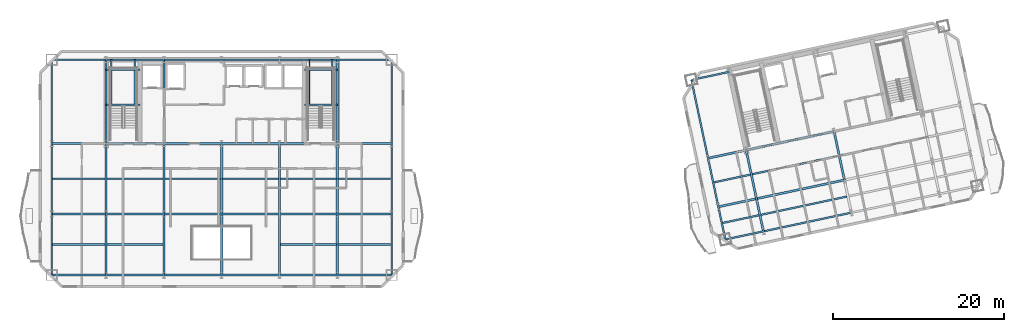
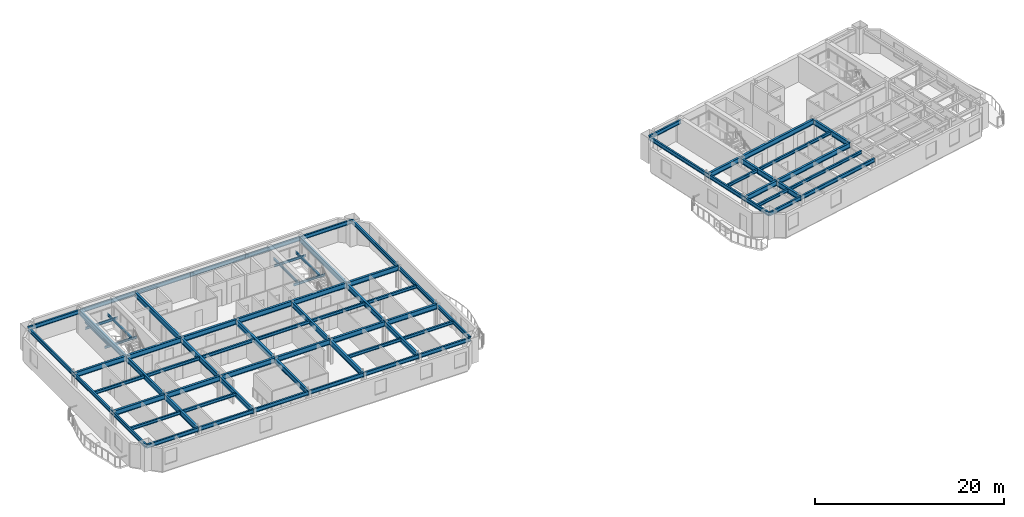
# One storey, part 3 of 13: 78 beams.
"""IFC4 building model written with IfcOpenShell, lengths in metres."""

from ifc_helpers import new_model, si_unit, direction, frame, origin, origin_2d, place, context, subcontext, project, spatial, i_section, extrude, material, material_profile, profile_set, type_object, element, save


model = new_model("IFC4")

# Units and contexts
model_context = context("Model", 3, precision=1e-05, world=origin(), true_north=direction((0.0, 1.0)))
body_context = subcontext(model_context, "Body", "Model", "MODEL_VIEW")
ifc_project = project(units=[si_unit("LENGTHUNIT", "METRE"), si_unit("AREAUNIT", "SQUARE_METRE"), si_unit("VOLUMEUNIT", "CUBIC_METRE"), si_unit("PLANEANGLEUNIT", "RADIAN"), si_unit("MASSUNIT", "GRAM", prefix="KILO")], contexts=[model_context])

# Site, building, storey
site_placement = place(None, origin())
site = spatial("IfcSite", under=ifc_project, at=site_placement, CompositionType="ELEMENT")
building_placement = place(site_placement, origin())
building = spatial("IfcBuilding", under=site, at=building_placement, Name="Haevon Station Towers", CompositionType="ELEMENT")
storey_placement = place(building_placement, frame((0.0, 0.0, 142.800048828125)))
storey = spatial("IfcBuildingStorey", under=building, at=storey_placement, Name="L38", CompositionType="ELEMENT", Elevation=142.800048828125)

# Beams
ifc_material = material(Name="Steel S355", Category="steel")
ifc_material_profile_1 = material_profile(ifc_material, i_section(OverallWidth=0.25, OverallDepth=0.64990234375, WebThickness=0.012939453125, FlangeThickness=0.02197265625, at=origin_2d()), Name="H-650x250x13x22")
ifc_profile_set_1 = profile_set([ifc_material_profile_1], Name="Steel S355")
beam_type_1 = type_object("IfcBeamType", Name="BM-G650", PredefinedType="BEAM", material=ifc_profile_set_1)
beam_1_placement = place(storey_placement, frame((17.64990234375, 30.0, 2.724853515625), z_axis=(1.0, 0.0, 0.0), x_axis=(0.0, 1.0, 0.0)))
element("IfcBeam", 1, at=beam_1_placement, inside=storey, type_object=beam_type_1, Name="BM-T1U-L38-02-01", PredefinedType="BEAM", context=body_context, shape_type="SweptSolid", body=[
    extrude(i_section(OverallWidth=0.25, OverallDepth=0.64990234375, WebThickness=0.012939453125, FlangeThickness=0.02197265625, at=origin_2d()), origin(), (0.0, 0.0, 1.0), 6.35009765625),
])
for number, where, z_axis, x_axis, name in (
    (2, (24.0, 30.0, 2.724853515625), (1.0, 0.0, 0.0), (0.0, 1.0, 0.0), "BM-T1U-L38-02-02"),
    (3, (30.75, 30.0, 2.724853515625), (1.0, 0.0, 0.0), (0.0, 1.0, 0.0), "BM-T1U-L38-02-03"),
    (4, (37.5, 30.0, 2.724853515625), (1.0, 0.0, 0.0), (0.0, 1.0, 0.0), "BM-T1U-L38-02-04"),
    (5, (44.25, 30.0, 2.724853515625), (1.0, 0.0, 0.0), (0.0, 1.0, 0.0), "BM-T1U-L38-02-05"),
):
    element("IfcBeam", number, at=place(storey_placement, frame(where, z_axis=z_axis, x_axis=x_axis)), inside=storey, type_object=beam_type_1, Name=name, PredefinedType="BEAM", context=body_context, shape_type="SweptSolid", body=[
        extrude(i_section(OverallWidth=0.25, OverallDepth=0.64990234375, WebThickness=0.012939453125, FlangeThickness=0.02197265625, at=origin_2d()), origin(), (0.0, 0.0, 1.0), 6.75),
    ])
for number, where, z_axis, x_axis, name in (
    (6, (51.0, 30.0, 2.724853515625), (1.0, 0.0, 0.0), (0.0, 1.0, 0.0), "BM-T1U-L38-02-06"),
    (7, (17.64990234375, 38.199951171875, 2.724853515625), (1.0, 0.0, 0.0), (0.0, 1.0, 0.0), "BM-T1U-L38-03-01"),
):
    element("IfcBeam", number, at=place(storey_placement, frame(where, z_axis=z_axis, x_axis=x_axis)), inside=storey, type_object=beam_type_1, Name=name, PredefinedType="BEAM", context=body_context, shape_type="SweptSolid", body=[
        extrude(i_section(OverallWidth=0.25, OverallDepth=0.64990234375, WebThickness=0.012939453125, FlangeThickness=0.02197265625, at=origin_2d()), origin(), (0.0, 0.0, 1.0), 6.35009765625),
    ])
for number, where, z_axis, x_axis, name in (
    (8, (24.0, 38.199951171875, 2.724853515625), (1.0, 0.0, 0.0), (0.0, 1.0, 0.0), "BM-T1U-L38-03-02"),
    (9, (30.75, 38.199951171875, 2.724853515625), (1.0, 0.0, 0.0), (0.0, 1.0, 0.0), "BM-T1U-L38-03-03"),
    (10, (37.5, 38.199951171875, 2.724853515625), (1.0, 0.0, 0.0), (0.0, 1.0, 0.0), "BM-T1U-L38-03-04"),
    (11, (44.25, 38.199951171875, 2.724853515625), (1.0, 0.0, 0.0), (0.0, 1.0, 0.0), "BM-T1U-L38-03-05"),
):
    element("IfcBeam", number, at=place(storey_placement, frame(where, z_axis=z_axis, x_axis=x_axis)), inside=storey, type_object=beam_type_1, Name=name, PredefinedType="BEAM", context=body_context, shape_type="SweptSolid", body=[
        extrude(i_section(OverallWidth=0.25, OverallDepth=0.64990234375, WebThickness=0.012939453125, FlangeThickness=0.02197265625, at=origin_2d()), origin(), (0.0, 0.0, 1.0), 6.75),
    ])
beam_2_placement = place(storey_placement, frame((51.0, 38.199951171875, 2.724853515625), z_axis=(1.0, 0.0, 0.0), x_axis=(0.0, 1.0, 0.0)))
element("IfcBeam", 12, at=beam_2_placement, inside=storey, type_object=beam_type_1, Name="BM-T1U-L38-03-06", PredefinedType="BEAM", context=body_context, shape_type="SweptSolid", body=[
    extrude(i_section(OverallWidth=0.25, OverallDepth=0.64990234375, WebThickness=0.012939453125, FlangeThickness=0.02197265625, at=origin_2d()), origin(), (0.0, 0.0, 1.0), 6.35009765625),
])
beam_3_placement = place(storey_placement, frame((24.0, 22.85009765625, 2.724853515625), z_axis=(0.0, 1.0, 0.0), x_axis=(-1.0, 0.0, 0.0)))
element("IfcBeam", 13, at=beam_3_placement, inside=storey, type_object=beam_type_1, Name="BM-T1V-L38-02-01", PredefinedType="BEAM", context=body_context, shape_type="SweptSolid", body=[
    extrude(i_section(OverallWidth=0.25, OverallDepth=0.64990234375, WebThickness=0.012939453125, FlangeThickness=0.02197265625, at=origin_2d()), origin(), (0.0, 0.0, 1.0), 7.14990234375),
])
beam_4_placement = place(storey_placement, frame((24.0, 30.0, 2.724853515625), z_axis=(0.0, 1.0, 0.0), x_axis=(-1.0, 0.0, 0.0)))
element("IfcBeam", 14, at=beam_4_placement, inside=storey, type_object=beam_type_1, Name="BM-T1V-L38-02-02", PredefinedType="BEAM", context=body_context, shape_type="SweptSolid", body=[
    extrude(i_section(OverallWidth=0.25, OverallDepth=0.64990234375, WebThickness=0.012939453125, FlangeThickness=0.02197265625, at=origin_2d()), origin(), (0.0, 0.0, 1.0), 8.199951171875),
])
beam_5_placement = place(storey_placement, frame((24.0, 38.199951171875, 2.724853515625), z_axis=(0.0, 1.0, 0.0), x_axis=(-1.0, 0.0, 0.0)))
element("IfcBeam", 15, at=beam_5_placement, inside=storey, type_object=beam_type_1, Name="BM-T1V-L38-02-03", PredefinedType="BEAM", context=body_context, shape_type="SweptSolid", body=[
    extrude(i_section(OverallWidth=0.25, OverallDepth=0.64990234375, WebThickness=0.012939453125, FlangeThickness=0.02197265625, at=origin_2d()), origin(), (0.0, 0.0, 1.0), 9.800048828125),
])
beam_6_placement = place(storey_placement, frame((30.75, 22.85009765625, 2.724853515625), z_axis=(0.0, 1.0, 0.0), x_axis=(-1.0, 0.0, 0.0)))
element("IfcBeam", 16, at=beam_6_placement, inside=storey, type_object=beam_type_1, Name="BM-T1V-L38-03-01", PredefinedType="BEAM", context=body_context, shape_type="SweptSolid", body=[
    extrude(i_section(OverallWidth=0.25, OverallDepth=0.64990234375, WebThickness=0.012939453125, FlangeThickness=0.02197265625, at=origin_2d()), origin(), (0.0, 0.0, 1.0), 7.14990234375),
])
beam_7_placement = place(storey_placement, frame((30.75, 30.0, 2.724853515625), z_axis=(0.0, 1.0, 0.0), x_axis=(-1.0, 0.0, 0.0)))
element("IfcBeam", 17, at=beam_7_placement, inside=storey, type_object=beam_type_1, Name="BM-T1V-L38-03-02", PredefinedType="BEAM", context=body_context, shape_type="SweptSolid", body=[
    extrude(i_section(OverallWidth=0.25, OverallDepth=0.64990234375, WebThickness=0.012939453125, FlangeThickness=0.02197265625, at=origin_2d()), origin(), (0.0, 0.0, 1.0), 8.199951171875),
])
beam_8_placement = place(storey_placement, frame((30.75, 38.199951171875, 2.724853515625), z_axis=(0.0, 1.0, 0.0), x_axis=(-1.0, 0.0, 0.0)))
element("IfcBeam", 18, at=beam_8_placement, inside=storey, type_object=beam_type_1, Name="BM-T1V-L38-03-03", PredefinedType="BEAM", context=body_context, shape_type="SweptSolid", body=[
    extrude(i_section(OverallWidth=0.25, OverallDepth=0.64990234375, WebThickness=0.012939453125, FlangeThickness=0.02197265625, at=origin_2d()), origin(), (0.0, 0.0, 1.0), 9.800048828125),
])
beam_9_placement = place(storey_placement, frame((37.5, 22.85009765625, 2.724853515625), z_axis=(0.0, 1.0, 0.0), x_axis=(-1.0, 0.0, 0.0)))
element("IfcBeam", 19, at=beam_9_placement, inside=storey, type_object=beam_type_1, Name="BM-T1V-L38-04-01", PredefinedType="BEAM", context=body_context, shape_type="SweptSolid", body=[
    extrude(i_section(OverallWidth=0.25, OverallDepth=0.64990234375, WebThickness=0.012939453125, FlangeThickness=0.02197265625, at=origin_2d()), origin(), (0.0, 0.0, 1.0), 7.14990234375),
])
beam_10_placement = place(storey_placement, frame((37.5, 30.0, 2.724853515625), z_axis=(0.0, 1.0, 0.0), x_axis=(-1.0, 0.0, 0.0)))
element("IfcBeam", 20, at=beam_10_placement, inside=storey, type_object=beam_type_1, Name="BM-T1V-L38-04-02", PredefinedType="BEAM", context=body_context, shape_type="SweptSolid", body=[
    extrude(i_section(OverallWidth=0.25, OverallDepth=0.64990234375, WebThickness=0.012939453125, FlangeThickness=0.02197265625, at=origin_2d()), origin(), (0.0, 0.0, 1.0), 8.199951171875),
])
beam_11_placement = place(storey_placement, frame((44.25, 22.85009765625, 2.724853515625), z_axis=(0.0, 1.0, 0.0), x_axis=(-1.0, 0.0, 0.0)))
element("IfcBeam", 21, at=beam_11_placement, inside=storey, type_object=beam_type_1, Name="BM-T1V-L38-05-01", PredefinedType="BEAM", context=body_context, shape_type="SweptSolid", body=[
    extrude(i_section(OverallWidth=0.25, OverallDepth=0.64990234375, WebThickness=0.012939453125, FlangeThickness=0.02197265625, at=origin_2d()), origin(), (0.0, 0.0, 1.0), 7.14990234375),
])
beam_12_placement = place(storey_placement, frame((44.25, 30.0, 2.724853515625), z_axis=(0.0, 1.0, 0.0), x_axis=(-1.0, 0.0, 0.0)))
element("IfcBeam", 22, at=beam_12_placement, inside=storey, type_object=beam_type_1, Name="BM-T1V-L38-05-02", PredefinedType="BEAM", context=body_context, shape_type="SweptSolid", body=[
    extrude(i_section(OverallWidth=0.25, OverallDepth=0.64990234375, WebThickness=0.012939453125, FlangeThickness=0.02197265625, at=origin_2d()), origin(), (0.0, 0.0, 1.0), 8.199951171875),
])
beam_13_placement = place(storey_placement, frame((51.0, 22.85009765625, 2.724853515625), z_axis=(0.0, 1.0, 0.0), x_axis=(-1.0, 0.0, 0.0)))
element("IfcBeam", 23, at=beam_13_placement, inside=storey, type_object=beam_type_1, Name="BM-T1V-L38-06-01", PredefinedType="BEAM", context=body_context, shape_type="SweptSolid", body=[
    extrude(i_section(OverallWidth=0.25, OverallDepth=0.64990234375, WebThickness=0.012939453125, FlangeThickness=0.02197265625, at=origin_2d()), origin(), (0.0, 0.0, 1.0), 7.14990234375),
])
beam_14_placement = place(storey_placement, frame((51.0, 30.0, 2.724853515625), z_axis=(0.0, 1.0, 0.0), x_axis=(-1.0, 0.0, 0.0)))
element("IfcBeam", 24, at=beam_14_placement, inside=storey, type_object=beam_type_1, Name="BM-T1V-L38-06-02", PredefinedType="BEAM", context=body_context, shape_type="SweptSolid", body=[
    extrude(i_section(OverallWidth=0.25, OverallDepth=0.64990234375, WebThickness=0.012939453125, FlangeThickness=0.02197265625, at=origin_2d()), origin(), (0.0, 0.0, 1.0), 8.199951171875),
])
beam_15_placement = place(storey_placement, frame((51.0, 38.199951171875, 2.724853515625), z_axis=(0.0, 1.0, 0.0), x_axis=(-1.0, 0.0, 0.0)))
element("IfcBeam", 25, at=beam_15_placement, inside=storey, type_object=beam_type_1, Name="BM-T1V-L38-06-03", PredefinedType="BEAM", context=body_context, shape_type="SweptSolid", body=[
    extrude(i_section(OverallWidth=0.25, OverallDepth=0.64990234375, WebThickness=0.012939453125, FlangeThickness=0.02197265625, at=origin_2d()), origin(), (0.0, 0.0, 1.0), 9.800048828125),
])
beam_16_placement = place(storey_placement, frame((95.507568359375, 30.8232421875, 2.724853515625), z_axis=(0.978157487225, 0.207865173094, 0.0), x_axis=(-0.207865173094, 0.978157487225, 0.0)))
element("IfcBeam", 26, at=beam_16_placement, inside=storey, type_object=beam_type_1, Name="BM-T2U-L38-02-01", PredefinedType="BEAM", context=body_context, shape_type="SweptSolid", body=[
    extrude(i_section(OverallWidth=0.25, OverallDepth=0.64990234375, WebThickness=0.012939453125, FlangeThickness=0.02197265625, at=origin_2d()), origin(), (0.0, 0.0, 1.0), 4.550048828125),
])
beam_17_placement = place(storey_placement, frame((99.958251953125, 31.76904296875, 2.724853515625), z_axis=(0.978146794194, 0.207915485254, 0.0), x_axis=(-0.207915485254, 0.978146794194, 0.0)))
element("IfcBeam", 27, at=beam_17_placement, inside=storey, type_object=beam_type_1, Name="BM-T2U-L38-02-02", PredefinedType="BEAM", context=body_context, shape_type="SweptSolid", body=[
    extrude(i_section(OverallWidth=0.25, OverallDepth=0.64990234375, WebThickness=0.012939453125, FlangeThickness=0.02197265625, at=origin_2d()), origin(), (0.0, 0.0, 1.0), 10.5),
])
beam_18_placement = place(storey_placement, frame((94.3017578125, 36.496337890625, 2.724853515625), z_axis=(0.978146576304, 0.207916510322, 0.0), x_axis=(-0.207916510322, 0.978146576304, 0.0)))
element("IfcBeam", 28, at=beam_18_placement, inside=storey, type_object=beam_type_1, Name="BM-T2U-L38-03-01", PredefinedType="BEAM", context=body_context, shape_type="SweptSolid", body=[
    extrude(i_section(OverallWidth=0.25, OverallDepth=0.64990234375, WebThickness=0.012939453125, FlangeThickness=0.02197265625, at=origin_2d()), origin(), (0.0, 0.0, 1.0), 4.550048828125),
])
beam_19_placement = place(storey_placement, frame((98.75244140625, 37.4423828125, 2.724853515625), z_axis=(0.978146794194, 0.207915485254, 0.0), x_axis=(-0.207915485254, 0.978146794194, 0.0)))
element("IfcBeam", 29, at=beam_19_placement, inside=storey, type_object=beam_type_1, Name="BM-T2U-L38-03-02", PredefinedType="BEAM", context=body_context, shape_type="SweptSolid", body=[
    extrude(i_section(OverallWidth=0.25, OverallDepth=0.64990234375, WebThickness=0.012939453125, FlangeThickness=0.02197265625, at=origin_2d()), origin(), (0.0, 0.0, 1.0), 10.5),
])
beam_20_placement = place(storey_placement, frame((100.76904296875, 27.954345703125, 2.724853515625), z_axis=(-0.207899934746, 0.97815009949, 0.0), x_axis=(-0.97815009949, -0.207899934746, 0.0)))
element("IfcBeam", 30, at=beam_20_placement, inside=storey, type_object=beam_type_1, Name="BM-T2V-L38-02-01", PredefinedType="BEAM", context=body_context, shape_type="SweptSolid", body=[
    extrude(i_section(OverallWidth=0.25, OverallDepth=0.64990234375, WebThickness=0.012939453125, FlangeThickness=0.02197265625, at=origin_2d()), origin(), (0.0, 0.0, 1.0), 3.89990234375),
])
for number, where, z_axis, x_axis, name in (
    (31, (99.958251953125, 31.76904296875, 2.724853515625), (-0.207896009217, 0.97815093383, 0.0), (-0.97815093383, -0.207896009217, 0.0), "BM-T2V-L38-02-02"),
    (32, (110.228759765625, 33.9521484375, 2.724853515625), (-0.207896009217, 0.97815093383, 0.0), (-0.97815093383, -0.207896009217, 0.0), "BM-T2V-L38-03-02"),
):
    element("IfcBeam", number, at=place(storey_placement, frame(where, z_axis=z_axis, x_axis=x_axis)), inside=storey, type_object=beam_type_1, Name=name, PredefinedType="BEAM", context=body_context, shape_type="SweptSolid", body=[
        extrude(i_section(OverallWidth=0.25, OverallDepth=0.64990234375, WebThickness=0.012939453125, FlangeThickness=0.02197265625, at=origin_2d()), origin(), (0.0, 0.0, 1.0), 5.800048828125),
    ])
ifc_material_profile_2 = material_profile(ifc_material, i_section(OverallWidth=0.199951171875, OverallDepth=0.39990234375, WebThickness=0.008056640625, FlangeThickness=0.012939453125, at=origin_2d()), Name="H-400x200x8x13")
ifc_profile_set_2 = profile_set([ifc_material_profile_2], Name="Steel S355")
beam_type_2 = type_object("IfcBeamType", Name="BM-J400", PredefinedType="JOIST", material=ifc_profile_set_2)
beam_21_placement = place(storey_placement, frame((17.760009765625, 26.425048828125, 2.849853515625), z_axis=(1.0, 0.0, 0.0), x_axis=(0.0, 1.0, 0.0)))
element("IfcBeam", 33, at=beam_21_placement, inside=storey, type_object=beam_type_2, Name="BM-T1J-L38-01-01", PredefinedType="JOIST", context=body_context, shape_type="SweptSolid", body=[
    extrude(i_section(OverallWidth=0.199951171875, OverallDepth=0.39990234375, WebThickness=0.008056640625, FlangeThickness=0.012939453125, at=origin_2d()), origin(), (0.0, 0.0, 1.0), 6.1298828125),
])
for number, where, z_axis, x_axis, name in (
    (34, (24.110107421875, 26.425048828125, 2.849853515625), (1.0, 0.0, 0.0), (0.0, 1.0, 0.0), "BM-T1J-L38-01-02"),
    (35, (44.360107421875, 26.425048828125, 2.849853515625), (1.0, 0.0, 0.0), (0.0, 1.0, 0.0), "BM-T1J-L38-01-05"),
):
    element("IfcBeam", number, at=place(storey_placement, frame(where, z_axis=z_axis, x_axis=x_axis)), inside=storey, type_object=beam_type_2, Name=name, PredefinedType="JOIST", context=body_context, shape_type="SweptSolid", body=[
        extrude(i_section(OverallWidth=0.199951171875, OverallDepth=0.39990234375, WebThickness=0.008056640625, FlangeThickness=0.012939453125, at=origin_2d()), origin(), (0.0, 0.0, 1.0), 6.52978515625),
    ])
for number, where, z_axis, x_axis, name in (
    (36, (51.110107421875, 26.425048828125, 2.849853515625), (1.0, 0.0, 0.0), (0.0, 1.0, 0.0), "BM-T1J-L38-01-06"),
    (37, (17.760009765625, 34.10009765625, 2.849853515625), (1.0, 0.0, 0.0), (0.0, 1.0, 0.0), "BM-T1J-L38-02-01"),
):
    element("IfcBeam", number, at=place(storey_placement, frame(where, z_axis=z_axis, x_axis=x_axis)), inside=storey, type_object=beam_type_2, Name=name, PredefinedType="JOIST", context=body_context, shape_type="SweptSolid", body=[
        extrude(i_section(OverallWidth=0.199951171875, OverallDepth=0.39990234375, WebThickness=0.008056640625, FlangeThickness=0.012939453125, at=origin_2d()), origin(), (0.0, 0.0, 1.0), 6.1298828125),
    ])
for number, where, z_axis, x_axis, name in (
    (38, (24.110107421875, 34.10009765625, 2.849853515625), (1.0, 0.0, 0.0), (0.0, 1.0, 0.0), "BM-T1J-L38-02-02"),
    (39, (30.860107421875, 34.10009765625, 2.849853515625), (1.0, 0.0, 0.0), (0.0, 1.0, 0.0), "BM-T1J-L38-02-03"),
    (40, (37.610107421875, 34.10009765625, 2.849853515625), (1.0, 0.0, 0.0), (0.0, 1.0, 0.0), "BM-T1J-L38-02-04"),
    (41, (44.360107421875, 34.10009765625, 2.849853515625), (1.0, 0.0, 0.0), (0.0, 1.0, 0.0), "BM-T1J-L38-02-05"),
):
    element("IfcBeam", number, at=place(storey_placement, frame(where, z_axis=z_axis, x_axis=x_axis)), inside=storey, type_object=beam_type_2, Name=name, PredefinedType="JOIST", context=body_context, shape_type="SweptSolid", body=[
        extrude(i_section(OverallWidth=0.199951171875, OverallDepth=0.39990234375, WebThickness=0.008056640625, FlangeThickness=0.012939453125, at=origin_2d()), origin(), (0.0, 0.0, 1.0), 6.52978515625),
    ])
beam_22_placement = place(storey_placement, frame((51.110107421875, 34.10009765625, 2.849853515625), z_axis=(1.0, 0.0, 0.0), x_axis=(0.0, 1.0, 0.0)))
element("IfcBeam", 42, at=beam_22_placement, inside=storey, type_object=beam_type_2, Name="BM-T1J-L38-02-06", PredefinedType="JOIST", context=body_context, shape_type="SweptSolid", body=[
    extrude(i_section(OverallWidth=0.199951171875, OverallDepth=0.39990234375, WebThickness=0.008056640625, FlangeThickness=0.012939453125, at=origin_2d()), origin(), (0.0, 0.0, 1.0), 6.1298828125),
])
beam_23_placement = place(storey_placement, frame((96.020751953125, 28.938720703125, 2.849853515625), z_axis=(0.978152545287, 0.207888427166, 0.0), x_axis=(-0.207888427166, 0.978152545287, 0.0)))
element("IfcBeam", 43, at=beam_23_placement, inside=storey, type_object=beam_type_2, Name="BM-T2J-L38-01-01", PredefinedType="JOIST", context=body_context, shape_type="SweptSolid", body=[
    extrude(i_section(OverallWidth=0.199951171875, OverallDepth=0.39990234375, WebThickness=0.008056640625, FlangeThickness=0.012939453125, at=origin_2d()), origin(), (0.0, 0.0, 1.0), 4.329833984375),
])
beam_24_placement = place(storey_placement, frame((100.47119140625, 29.884521484375, 2.849853515625), z_axis=(0.978145509903, 0.207921527161, 0.0), x_axis=(-0.207921527161, 0.978145509903, 0.0)))
element("IfcBeam", 44, at=beam_24_placement, inside=storey, type_object=beam_type_2, Name="BM-T2J-L38-01-02", PredefinedType="JOIST", context=body_context, shape_type="SweptSolid", body=[
    extrude(i_section(OverallWidth=0.199951171875, OverallDepth=0.39990234375, WebThickness=0.008056640625, FlangeThickness=0.012939453125, at=origin_2d()), origin(), (0.0, 0.0, 1.0), 10.280029296875),
])
beam_25_placement = place(storey_placement, frame((95.01220703125, 33.6826171875, 2.849853515625), z_axis=(0.978143516228, 0.20793090598, 0.0), x_axis=(-0.20793090598, 0.978143516228, 0.0)))
element("IfcBeam", 45, at=beam_25_placement, inside=storey, type_object=beam_type_2, Name="BM-T2J-L38-02-01", PredefinedType="JOIST", context=body_context, shape_type="SweptSolid", body=[
    extrude(i_section(OverallWidth=0.199951171875, OverallDepth=0.39990234375, WebThickness=0.008056640625, FlangeThickness=0.012939453125, at=origin_2d()), origin(), (0.0, 0.0, 1.0), 4.330322265625),
])
beam_26_placement = place(storey_placement, frame((99.462890625, 34.628662109375, 2.849853515625), z_axis=(0.978150339653, 0.207898804801, 0.0), x_axis=(-0.207898804801, 0.978150339653, 0.0)))
element("IfcBeam", 46, at=beam_26_placement, inside=storey, type_object=beam_type_2, Name="BM-T2J-L38-02-02", PredefinedType="JOIST", context=body_context, shape_type="SweptSolid", body=[
    extrude(i_section(OverallWidth=0.199951171875, OverallDepth=0.39990234375, WebThickness=0.008056640625, FlangeThickness=0.012939453125, at=origin_2d()), origin(), (0.0, 0.0, 1.0), 10.280029296875),
])
ifc_material_profile_3 = material_profile(ifc_material, i_section(OverallWidth=0.14990234375, OverallDepth=0.300048828125, WebThickness=0.006591796875, FlangeThickness=0.009033203125, at=origin_2d()), Name="H-300x150x6.5x9")
ifc_profile_set_3 = profile_set([ifc_material_profile_3], Name="Steel S355")
beam_type_3 = type_object("IfcBeamType", Name="BM-LIN300", PredefinedType="LINTEL", material=ifc_profile_set_3)
for number, where, z_axis, x_axis, name in (
    (47, (24.0, 42.743896484375, 1.300048828125), (1.0, 0.0, 0.0), (0.0, 1.0, 0.0), "BM-ST1L-L38-1-S"),
    (48, (24.0, 46.820068359375, 1.300048828125), (1.0, 0.0, 0.0), (0.0, 1.0, 0.0), "BM-ST1L-L38-1-N"),
):
    element("IfcBeam", number, at=place(storey_placement, frame(where, z_axis=z_axis, x_axis=x_axis)), inside=storey, type_object=beam_type_3, Name=name, PredefinedType="LINTEL", context=body_context, shape_type="SweptSolid", body=[
        extrude(i_section(OverallWidth=0.14990234375, OverallDepth=0.300048828125, WebThickness=0.006591796875, FlangeThickness=0.009033203125, at=origin_2d()), origin(), (0.0, 0.0, 1.0), 3.949951171875),
    ])
for number, where, z_axis, x_axis, name in (
    (49, (24.60009765625, 42.743896484375, 1.300048828125), (0.0, 1.0, 0.0), (-1.0, 0.0, 0.0), "BM-ST1L-L38-1-W"),
    (50, (27.35009765625, 42.743896484375, 1.300048828125), (0.0, 1.0, 0.0), (-1.0, 0.0, 0.0), "BM-ST1L-L38-1-E"),
):
    element("IfcBeam", number, at=place(storey_placement, frame(where, z_axis=z_axis, x_axis=x_axis)), inside=storey, type_object=beam_type_3, Name=name, PredefinedType="LINTEL", context=body_context, shape_type="SweptSolid", body=[
        extrude(i_section(OverallWidth=0.14990234375, OverallDepth=0.300048828125, WebThickness=0.006591796875, FlangeThickness=0.009033203125, at=origin_2d()), origin(), (0.0, 0.0, 1.0), 5.256103515625),
    ])
for number, where, z_axis, x_axis, name in (
    (51, (47.14990234375, 42.743896484375, 1.300048828125), (1.0, 0.0, 0.0), (0.0, 1.0, 0.0), "BM-ST2L-L38-1-S"),
    (52, (47.14990234375, 46.820068359375, 1.300048828125), (1.0, 0.0, 0.0), (0.0, 1.0, 0.0), "BM-ST2L-L38-1-N"),
):
    element("IfcBeam", number, at=place(storey_placement, frame(where, z_axis=z_axis, x_axis=x_axis)), inside=storey, type_object=beam_type_3, Name=name, PredefinedType="LINTEL", context=body_context, shape_type="SweptSolid", body=[
        extrude(i_section(OverallWidth=0.14990234375, OverallDepth=0.300048828125, WebThickness=0.006591796875, FlangeThickness=0.009033203125, at=origin_2d()), origin(), (0.0, 0.0, 1.0), 3.85009765625),
    ])
for number, where, z_axis, x_axis, name in (
    (53, (47.75, 42.743896484375, 1.300048828125), (0.0, 1.0, 0.0), (-1.0, 0.0, 0.0), "BM-ST2L-L38-1-W"),
    (54, (50.39990234375, 42.743896484375, 1.300048828125), (0.0, 1.0, 0.0), (-1.0, 0.0, 0.0), "BM-ST2L-L38-1-E"),
):
    element("IfcBeam", number, at=place(storey_placement, frame(where, z_axis=z_axis, x_axis=x_axis)), inside=storey, type_object=beam_type_3, Name=name, PredefinedType="LINTEL", context=body_context, shape_type="SweptSolid", body=[
        extrude(i_section(OverallWidth=0.14990234375, OverallDepth=0.300048828125, WebThickness=0.006591796875, FlangeThickness=0.009033203125, at=origin_2d()), origin(), (0.0, 0.0, 1.0), 5.256103515625),
    ])
ifc_material_profile_4 = material_profile(ifc_material, i_section(OverallWidth=0.199951171875, OverallDepth=0.5, WebThickness=0.010009765625, FlangeThickness=0.01611328125, at=origin_2d()), Name="H-500x200x10x16")
ifc_profile_set_4 = profile_set([ifc_material_profile_4], Name="Steel S355")
beam_type_4 = type_object("IfcBeamType", Name="BM-SP500", PredefinedType="SPANDREL", material=ifc_profile_set_4)
beam_27_placement = place(storey_placement, frame((17.64990234375, 22.85009765625, 2.800048828125), z_axis=(1.0, 0.0, 0.0), x_axis=(0.0, 1.0, 0.0)))
element("IfcBeam", 55, at=beam_27_placement, inside=storey, type_object=beam_type_4, Name="BM-T1U-L38-01-01", PredefinedType="SPANDREL", context=body_context, shape_type="SweptSolid", body=[
    extrude(i_section(OverallWidth=0.199951171875, OverallDepth=0.5, WebThickness=0.010009765625, FlangeThickness=0.01611328125, at=origin_2d()), origin(), (0.0, 0.0, 1.0), 6.35009765625),
])
for number, where, z_axis, x_axis, name in (
    (56, (24.0, 22.85009765625, 2.800048828125), (1.0, 0.0, 0.0), (0.0, 1.0, 0.0), "BM-T1U-L38-01-02"),
    (57, (30.75, 22.85009765625, 2.800048828125), (1.0, 0.0, 0.0), (0.0, 1.0, 0.0), "BM-T1U-L38-01-03"),
    (58, (37.5, 22.85009765625, 2.800048828125), (1.0, 0.0, 0.0), (0.0, 1.0, 0.0), "BM-T1U-L38-01-04"),
    (59, (44.25, 22.85009765625, 2.800048828125), (1.0, 0.0, 0.0), (0.0, 1.0, 0.0), "BM-T1U-L38-01-05"),
):
    element("IfcBeam", number, at=place(storey_placement, frame(where, z_axis=z_axis, x_axis=x_axis)), inside=storey, type_object=beam_type_4, Name=name, PredefinedType="SPANDREL", context=body_context, shape_type="SweptSolid", body=[
        extrude(i_section(OverallWidth=0.199951171875, OverallDepth=0.5, WebThickness=0.010009765625, FlangeThickness=0.01611328125, at=origin_2d()), origin(), (0.0, 0.0, 1.0), 6.75),
    ])
for number, where, z_axis, x_axis, name in (
    (60, (51.0, 22.85009765625, 2.800048828125), (1.0, 0.0, 0.0), (0.0, 1.0, 0.0), "BM-T1U-L38-01-06"),
    (61, (17.64990234375, 48.0, 2.800048828125), (1.0, 0.0, 0.0), (0.0, 1.0, 0.0), "BM-T1U-L38-04-01"),
):
    element("IfcBeam", number, at=place(storey_placement, frame(where, z_axis=z_axis, x_axis=x_axis)), inside=storey, type_object=beam_type_4, Name=name, PredefinedType="SPANDREL", context=body_context, shape_type="SweptSolid", body=[
        extrude(i_section(OverallWidth=0.199951171875, OverallDepth=0.5, WebThickness=0.010009765625, FlangeThickness=0.01611328125, at=origin_2d()), origin(), (0.0, 0.0, 1.0), 6.35009765625),
    ])
for number, where, z_axis, x_axis, name in (
    (62, (24.0, 48.0, 2.800048828125), (1.0, 0.0, 0.0), (0.0, 1.0, 0.0), "BM-T1U-L38-04-02"),
    (63, (30.75, 48.0, 2.800048828125), (1.0, 0.0, 0.0), (0.0, 1.0, 0.0), "BM-T1U-L38-04-03"),
    (64, (37.5, 48.0, 2.800048828125), (1.0, 0.0, 0.0), (0.0, 1.0, 0.0), "BM-T1U-L38-04-04"),
    (65, (44.25, 48.0, 2.800048828125), (1.0, 0.0, 0.0), (0.0, 1.0, 0.0), "BM-T1U-L38-04-05"),
):
    element("IfcBeam", number, at=place(storey_placement, frame(where, z_axis=z_axis, x_axis=x_axis)), inside=storey, type_object=beam_type_4, Name=name, PredefinedType="SPANDREL", context=body_context, shape_type="SweptSolid", body=[
        extrude(i_section(OverallWidth=0.199951171875, OverallDepth=0.5, WebThickness=0.010009765625, FlangeThickness=0.01611328125, at=origin_2d()), origin(), (0.0, 0.0, 1.0), 6.75),
    ])
beam_28_placement = place(storey_placement, frame((51.0, 48.0, 2.800048828125), z_axis=(1.0, 0.0, 0.0), x_axis=(0.0, 1.0, 0.0)))
element("IfcBeam", 66, at=beam_28_placement, inside=storey, type_object=beam_type_4, Name="BM-T1U-L38-04-06", PredefinedType="SPANDREL", context=body_context, shape_type="SweptSolid", body=[
    extrude(i_section(OverallWidth=0.199951171875, OverallDepth=0.5, WebThickness=0.010009765625, FlangeThickness=0.01611328125, at=origin_2d()), origin(), (0.0, 0.0, 1.0), 6.35009765625),
])
beam_29_placement = place(storey_placement, frame((17.64990234375, 22.85009765625, 2.800048828125), z_axis=(0.0, 1.0, 0.0), x_axis=(-1.0, 0.0, 0.0)))
element("IfcBeam", 67, at=beam_29_placement, inside=storey, type_object=beam_type_4, Name="BM-T1V-L38-01-01", PredefinedType="SPANDREL", context=body_context, shape_type="SweptSolid", body=[
    extrude(i_section(OverallWidth=0.199951171875, OverallDepth=0.5, WebThickness=0.010009765625, FlangeThickness=0.01611328125, at=origin_2d()), origin(), (0.0, 0.0, 1.0), 7.14990234375),
])
beam_30_placement = place(storey_placement, frame((17.64990234375, 30.0, 2.800048828125), z_axis=(0.0, 1.0, 0.0), x_axis=(-1.0, 0.0, 0.0)))
element("IfcBeam", 68, at=beam_30_placement, inside=storey, type_object=beam_type_4, Name="BM-T1V-L38-01-02", PredefinedType="SPANDREL", context=body_context, shape_type="SweptSolid", body=[
    extrude(i_section(OverallWidth=0.199951171875, OverallDepth=0.5, WebThickness=0.010009765625, FlangeThickness=0.01611328125, at=origin_2d()), origin(), (0.0, 0.0, 1.0), 8.199951171875),
])
beam_31_placement = place(storey_placement, frame((17.64990234375, 38.199951171875, 2.800048828125), z_axis=(0.0, 1.0, 0.0), x_axis=(-1.0, 0.0, 0.0)))
element("IfcBeam", 69, at=beam_31_placement, inside=storey, type_object=beam_type_4, Name="BM-T1V-L38-01-03", PredefinedType="SPANDREL", context=body_context, shape_type="SweptSolid", body=[
    extrude(i_section(OverallWidth=0.199951171875, OverallDepth=0.5, WebThickness=0.010009765625, FlangeThickness=0.01611328125, at=origin_2d()), origin(), (0.0, 0.0, 1.0), 9.800048828125),
])
beam_32_placement = place(storey_placement, frame((57.35009765625, 22.85009765625, 2.800048828125), z_axis=(0.0, 1.0, 0.0), x_axis=(-1.0, 0.0, 0.0)))
element("IfcBeam", 70, at=beam_32_placement, inside=storey, type_object=beam_type_4, Name="BM-T1V-L38-07-01", PredefinedType="SPANDREL", context=body_context, shape_type="SweptSolid", body=[
    extrude(i_section(OverallWidth=0.199951171875, OverallDepth=0.5, WebThickness=0.010009765625, FlangeThickness=0.01611328125, at=origin_2d()), origin(), (0.0, 0.0, 1.0), 7.14990234375),
])
beam_33_placement = place(storey_placement, frame((57.35009765625, 30.0, 2.800048828125), z_axis=(0.0, 1.0, 0.0), x_axis=(-1.0, 0.0, 0.0)))
element("IfcBeam", 71, at=beam_33_placement, inside=storey, type_object=beam_type_4, Name="BM-T1V-L38-07-02", PredefinedType="SPANDREL", context=body_context, shape_type="SweptSolid", body=[
    extrude(i_section(OverallWidth=0.199951171875, OverallDepth=0.5, WebThickness=0.010009765625, FlangeThickness=0.01611328125, at=origin_2d()), origin(), (0.0, 0.0, 1.0), 8.199951171875),
])
beam_34_placement = place(storey_placement, frame((57.35009765625, 38.199951171875, 2.800048828125), z_axis=(0.0, 1.0, 0.0), x_axis=(-1.0, 0.0, 0.0)))
element("IfcBeam", 72, at=beam_34_placement, inside=storey, type_object=beam_type_4, Name="BM-T1V-L38-07-03", PredefinedType="SPANDREL", context=body_context, shape_type="SweptSolid", body=[
    extrude(i_section(OverallWidth=0.199951171875, OverallDepth=0.5, WebThickness=0.010009765625, FlangeThickness=0.01611328125, at=origin_2d()), origin(), (0.0, 0.0, 1.0), 9.800048828125),
])
beam_35_placement = place(storey_placement, frame((96.318603515625, 27.00830078125, 2.800048828125), z_axis=(0.978144256617, 0.207927423029, 0.0), x_axis=(-0.207927423029, 0.978144256617, 0.0)))
element("IfcBeam", 73, at=beam_35_placement, inside=storey, type_object=beam_type_4, Name="BM-T2U-L38-01-01", PredefinedType="SPANDREL", context=body_context, shape_type="SweptSolid", body=[
    extrude(i_section(OverallWidth=0.199951171875, OverallDepth=0.5, WebThickness=0.010009765625, FlangeThickness=0.01611328125, at=origin_2d()), origin(), (0.0, 0.0, 1.0), 4.5498046875),
])
beam_36_placement = place(storey_placement, frame((100.76904296875, 27.954345703125, 2.800048828125), z_axis=(0.978146794194, 0.207915485254, 0.0), x_axis=(-0.207915485254, 0.978146794194, 0.0)))
element("IfcBeam", 74, at=beam_36_placement, inside=storey, type_object=beam_type_4, Name="BM-T2U-L38-01-02", PredefinedType="SPANDREL", context=body_context, shape_type="SweptSolid", body=[
    extrude(i_section(OverallWidth=0.199951171875, OverallDepth=0.5, WebThickness=0.010009765625, FlangeThickness=0.01611328125, at=origin_2d()), origin(), (0.0, 0.0, 1.0), 10.5),
])
beam_37_placement = place(storey_placement, frame((92.35791015625, 45.64208984375, 2.800048828125), z_axis=(0.978144256617, 0.207927423029, 0.0), x_axis=(-0.207927423029, 0.978144256617, 0.0)))
element("IfcBeam", 75, at=beam_37_placement, inside=storey, type_object=beam_type_4, Name="BM-T2U-L38-04-01", PredefinedType="SPANDREL", context=body_context, shape_type="SweptSolid", body=[
    extrude(i_section(OverallWidth=0.199951171875, OverallDepth=0.5, WebThickness=0.010009765625, FlangeThickness=0.01611328125, at=origin_2d()), origin(), (0.0, 0.0, 1.0), 4.5498046875),
])
beam_38_placement = place(storey_placement, frame((96.318603515625, 27.00830078125, 2.800048828125), z_axis=(-0.207947096322, 0.978140074392, 0.0), x_axis=(-0.978140074392, -0.207947096322, 0.0)))
element("IfcBeam", 76, at=beam_38_placement, inside=storey, type_object=beam_type_4, Name="BM-T2V-L38-01-01", PredefinedType="SPANDREL", context=body_context, shape_type="SweptSolid", body=[
    extrude(i_section(OverallWidth=0.199951171875, OverallDepth=0.5, WebThickness=0.010009765625, FlangeThickness=0.01611328125, at=origin_2d()), origin(), (0.0, 0.0, 1.0), 3.900146484375),
])
beam_39_placement = place(storey_placement, frame((95.507568359375, 30.8232421875, 2.800048828125), z_axis=(-0.207904569273, 0.978149114438, 0.0), x_axis=(-0.978149114438, -0.207904569273, 0.0)))
element("IfcBeam", 77, at=beam_39_placement, inside=storey, type_object=beam_type_4, Name="BM-T2V-L38-01-02", PredefinedType="SPANDREL", context=body_context, shape_type="SweptSolid", body=[
    extrude(i_section(OverallWidth=0.199951171875, OverallDepth=0.5, WebThickness=0.010009765625, FlangeThickness=0.01611328125, at=origin_2d()), origin(), (0.0, 0.0, 1.0), 5.7998046875),
])
beam_40_placement = place(storey_placement, frame((94.3017578125, 36.496337890625, 2.800048828125), z_axis=(-0.207897167074, 0.978150687738, 0.0), x_axis=(-0.978150687738, -0.207897167074, 0.0)))
element("IfcBeam", 78, at=beam_40_placement, inside=storey, type_object=beam_type_4, Name="BM-T2V-L38-01-03", PredefinedType="SPANDREL", context=body_context, shape_type="SweptSolid", body=[
    extrude(i_section(OverallWidth=0.199951171875, OverallDepth=0.5, WebThickness=0.010009765625, FlangeThickness=0.01611328125, at=origin_2d()), origin(), (0.0, 0.0, 1.0), 9.35009765625),
])

save(model, "model.ifc")
